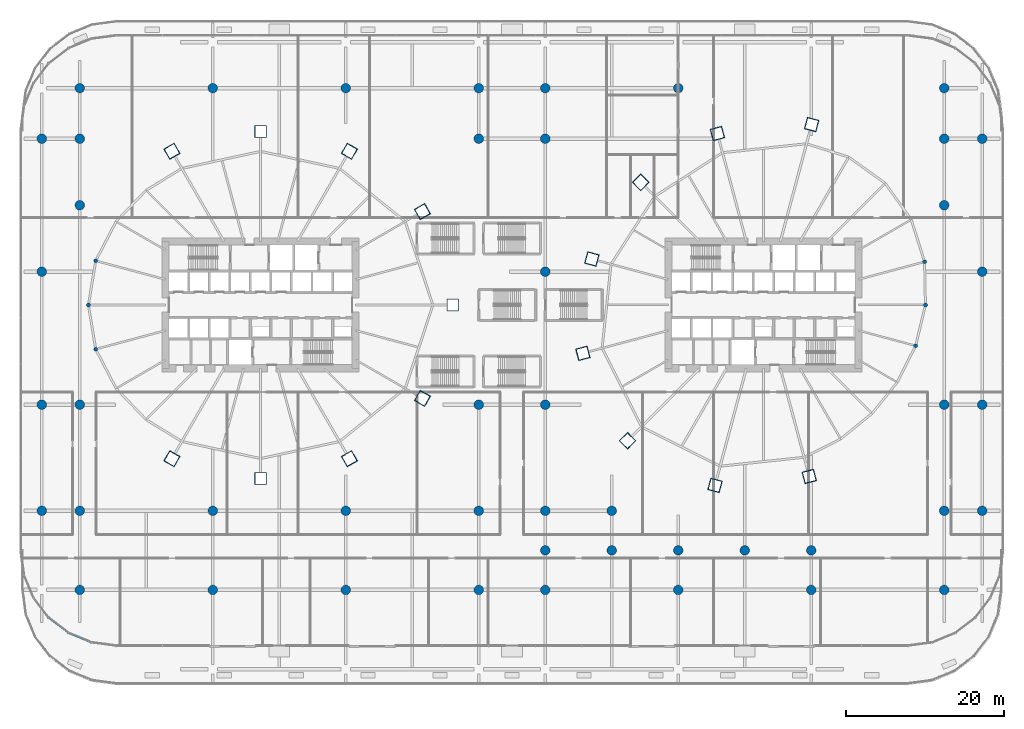
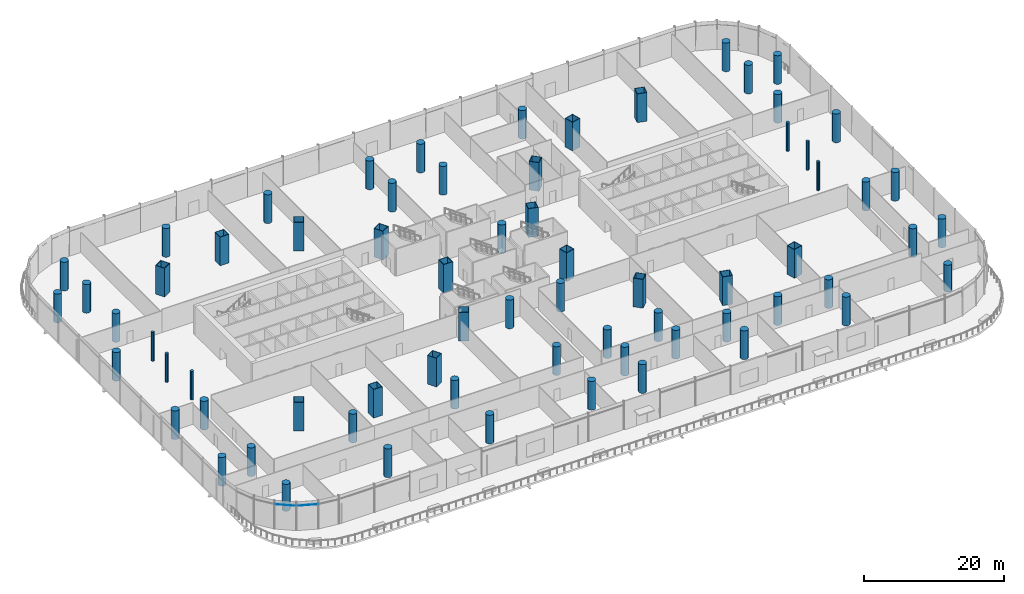
# One storey, part 1 of 51: 69 columns, 2 members, 1 element without a shape of its own.
"""IFC4 building model written with IfcOpenShell, lengths in metres."""

import ifcopenshell
import ifcopenshell.guid

model = None  # the IFC model being written
_history = None  # IfcOwnerHistory: only IFC2X3 demands one
_inside = {}  # id of a spatial element -> (the spatial element, [elements in it])
_under = {}  # id of a project, library or spatial element -> (it, [spatial elements below it])
_declared = {}  # id of a project -> (the project, [libraries it declares])
_typed = {}  # id of a type object -> (the type object, [elements of that type])
_made_of = {}  # id of a material, layer set ... -> (it, [elements and type objects made of it])


def new_model(schema):
    """Start an empty IFC model of exactly this schema.

    Asked for "IFC4X3", IfcOpenShell would pick the latest addendum, in which some entities
    have other attributes; the version numbers below select the first issue.
    IFC2X3 requires an IfcOwnerHistory on every rooted entity: one is made here for all.
    """
    global model, _history
    if schema == "IFC4X3":
        model = ifcopenshell.file(schema_version=(4, 3, 0, 0))
    else:
        model = ifcopenshell.file(schema=schema)
    _inside.clear()
    _under.clear()
    _declared.clear()
    _typed.clear()
    _made_of.clear()
    _history = None
    if model.schema == "IFC2X3":
        org = make("IfcOrganization", Name="unknown")
        user = make(
            "IfcPersonAndOrganization",
            ThePerson=make("IfcPerson", FamilyName="unknown"),
            TheOrganization=org,
        )
        app = make(
            "IfcApplication",
            ApplicationDeveloper=org,
            Version="unknown",
            ApplicationFullName="unknown",
            ApplicationIdentifier="unknown",
        )
        _history = make(
            "IfcOwnerHistory",
            OwningUser=user,
            OwningApplication=app,
            ChangeAction="ADDED",
            CreationDate=0,
        )
    return model


def make(cls, **values):
    """One entity of the class cls with the attributes given. An attribute that is None is left unset."""
    return model.create_entity(
        cls, **{name: value for name, value in values.items() if value is not None}
    )


def rooted(cls, **values):
    """An entity with a GlobalId (a new one), such as an element, a storey or a relation."""
    return make(cls, GlobalId=ifcopenshell.guid.new(), OwnerHistory=_history, **values)


def si_unit(unit_type, name, prefix=None):
    """IfcSIUnit, for example si_unit("LENGTHUNIT", "METRE", prefix="MILLI")."""
    return make("IfcSIUnit", UnitType=unit_type, Prefix=prefix, Name=name)


def assignment(units):
    """IfcUnitAssignment: the units of a project."""
    return None if units is None else make("IfcUnitAssignment", Units=units)


def point(xyz):
    """IfcCartesianPoint."""
    return None if xyz is None else make("IfcCartesianPoint", Coordinates=xyz)


def direction(xyz):
    """IfcDirection."""
    return None if xyz is None else make("IfcDirection", DirectionRatios=xyz)


def frame(location, z_axis=None, x_axis=None):
    """IfcAxis2Placement3D, a coordinate frame: its origin and axes. An axis left out is left unset."""
    return make(
        "IfcAxis2Placement3D",
        Location=point(location),
        Axis=direction(z_axis),
        RefDirection=direction(x_axis),
    )


def frame_2d(location, x_axis=None):
    """IfcAxis2Placement2D, a coordinate frame in the plane: its origin and x axis."""
    return make(
        "IfcAxis2Placement2D", Location=point(location), RefDirection=direction(x_axis)
    )


def origin():
    """The frame at (0, 0, 0) with its axes left unset."""
    return frame((0.0, 0.0, 0.0))


def origin_2d():
    """The frame at (0, 0) in the plane with its x axis left unset."""
    return frame_2d((0.0, 0.0))


def place(relative_to, where):
    """IfcLocalPlacement: puts the frame where relative to a parent placement (None: the world)."""
    return make(
        "IfcLocalPlacement", PlacementRelTo=relative_to, RelativePlacement=where
    )


def context(
    kind, dimensions, precision=None, world=None, true_north=None, identifier=None
):
    """IfcGeometricRepresentationContext, for example the 3D "Model" context."""
    return make(
        "IfcGeometricRepresentationContext",
        ContextIdentifier=identifier,
        ContextType=kind,
        CoordinateSpaceDimension=dimensions,
        Precision=precision,
        WorldCoordinateSystem=world,
        TrueNorth=true_north,
    )


def subcontext(parent, identifier, kind, view, scale=None):
    """IfcGeometricRepresentationSubContext, for example "Body" below "Model"."""
    return make(
        "IfcGeometricRepresentationSubContext",
        ContextIdentifier=identifier,
        ContextType=kind,
        ParentContext=parent,
        TargetScale=scale,
        TargetView=view,
    )


def project(units=None, contexts=None):
    """IfcProject with its units and contexts."""
    return rooted(
        "IfcProject",
        Name="project",
        RepresentationContexts=contexts,
        UnitsInContext=assignment(units),
    )


def spatial(cls, under=None, at=None, **own):
    """A site, building, storey or space (cls), placed at a placement, below another one or the project."""
    s = rooted(cls, ObjectPlacement=at, **own)
    if under is not None:
        _under.setdefault(under.id(), (under, []))[1].append(s)
    return s


def profile(cls, at=None, kind="AREA", **sizes):
    """A parametric profile (cls). Its sizes go by their IFC names, for example OverallWidth=200.0."""
    return make(cls, ProfileType=kind, Position=at, **sizes)


def rectangle(**sizes):
    """IfcRectangleProfileDef."""
    return profile("IfcRectangleProfileDef", **sizes)


def hollow_rectangle(**sizes):
    """IfcRectangleHollowProfileDef."""
    return profile("IfcRectangleHollowProfileDef", **sizes)


def circle(**sizes):
    """IfcCircleProfileDef."""
    return profile("IfcCircleProfileDef", **sizes)


def extrude(swept, where, along, depth):
    """IfcExtrudedAreaSolid: the profile swept, set in the frame where, extruded along a direction by depth."""
    return make(
        "IfcExtrudedAreaSolid",
        SweptArea=swept,
        Position=where,
        ExtrudedDirection=direction(along),
        Depth=depth,
    )


def shape(context_of_items, identifier, shape_type, items):
    """IfcShapeRepresentation: the items that make up one representation, for example the "Body"."""
    return make(
        "IfcShapeRepresentation",
        ContextOfItems=context_of_items,
        RepresentationIdentifier=identifier,
        RepresentationType=shape_type,
        Items=items,
    )


def material(Name=None, Category=None):
    """IfcMaterial."""
    return make("IfcMaterial", Name=Name, Category=Category)


def material_profile(
    of_material, cross_section, Name=None, Category=None, Priority=None
):
    """IfcMaterialProfile: a cross section and its material."""
    return make(
        "IfcMaterialProfile",
        Name=Name,
        Material=of_material,
        Profile=cross_section,
        Priority=Priority,
        Category=Category,
    )


def profile_set(profiles, Name=None, composite=None):
    """IfcMaterialProfileSet."""
    return make(
        "IfcMaterialProfileSet",
        Name=Name,
        MaterialProfiles=profiles,
        CompositeProfile=composite,
    )


def made_of(thing, what):
    """Note that an element or type object is made of a material, layer set ...; save() writes the relation."""
    if what is not None:
        _made_of.setdefault(what.id(), (what, []))[1].append(thing)
    return thing


def type_object(cls, material=None, **own):
    """A type object (cls), such as IfcWallType, which elements share."""
    return made_of(rooted(cls, **own), material)


def element(
    cls,
    number,
    at=None,
    inside=None,
    cuts=None,
    type_object=None,
    material=None,
    context=None,
    identifier="Body",
    shape_type=None,
    held_by="IfcProductDefinitionShape",
    body=None,
    shapes=None,
    **own,
):
    """One element of the class cls, such as IfcWall. Its Tag is "e" and its number.

    at: its placement. inside: the storey or other place that contains it. cuts: it is an
    opening in that element (IfcRelVoidsElement). A single representation is given by context,
    identifier, shape_type and body (its items); several are given by shapes. held_by: the class
    of the entity that holds the representations. save() writes the other relations.
    """
    e = rooted(cls, Tag="e%d" % number, ObjectPlacement=at, **own)
    if body is not None:
        shapes = [shape(context, identifier, shape_type, body)]
    if shapes is not None:
        e.Representation = make(held_by, Representations=shapes)
    if inside is not None:
        _inside.setdefault(inside.id(), (inside, []))[1].append(e)
    if cuts is not None:
        rooted(
            "IfcRelVoidsElement", RelatingBuildingElement=cuts, RelatedOpeningElement=e
        )
    if type_object is not None:
        _typed.setdefault(type_object.id(), (type_object, []))[1].append(e)
    return made_of(e, material)


def aggregate(whole, parts):
    """IfcRelAggregates: a whole, such as a stair, and the parts it consists of."""
    return rooted("IfcRelAggregates", RelatingObject=whole, RelatedObjects=parts)


def save(model, path):
    """Write the relations noted so far, then the file.

    IfcRelAggregates (storeys below a building ...), IfcRelContainedInSpatialStructure (elements
    in a storey), IfcRelDefinesByType, IfcRelAssociatesMaterial and IfcRelDeclares: one each for
    every whole, place, type object, material and project.
    """
    for whole, parts in _under.values():
        aggregate(whole, parts)
    for where, things in _inside.values():
        rooted(
            "IfcRelContainedInSpatialStructure",
            RelatedElements=things,
            RelatingStructure=where,
        )
    for kind, things in _typed.values():
        rooted("IfcRelDefinesByType", RelatedObjects=things, RelatingType=kind)
    for what, things in _made_of.values():
        rooted("IfcRelAssociatesMaterial", RelatedObjects=things, RelatingMaterial=what)
    for by, libraries in _declared.values():
        rooted("IfcRelDeclares", RelatingContext=by, RelatedDefinitions=libraries)
    model.write(path)


model = new_model("IFC4")

# Units and contexts
model_context = context("Model", 3, precision=1e-05, world=origin(), true_north=direction((0.0, 1.0)))
body_context = subcontext(model_context, "Body", "Model", "MODEL_VIEW")
ifc_project = project(units=[si_unit("LENGTHUNIT", "METRE"), si_unit("AREAUNIT", "SQUARE_METRE"), si_unit("VOLUMEUNIT", "CUBIC_METRE"), si_unit("PLANEANGLEUNIT", "RADIAN"), si_unit("MASSUNIT", "GRAM", prefix="KILO")], contexts=[model_context])

# Site, building, storey
site_placement = place(None, origin())
site = spatial("IfcSite", under=ifc_project, at=site_placement, CompositionType="ELEMENT")
building_placement = place(site_placement, origin())
building = spatial("IfcBuilding", under=site, at=building_placement, Name="Rimbun Link Towers", CompositionType="ELEMENT")
storey_placement = place(building_placement, frame((0.0, 0.0, 7.0)))
storey = spatial("IfcBuildingStorey", under=building, at=storey_placement, Name="L01", CompositionType="ELEMENT", Elevation=7.0)

# Columns
ifc_material_1 = material(Name="Steel S460N", Category="steel")
ifc_material_profile_1 = material_profile(ifc_material_1, hollow_rectangle(XDim=1.5, YDim=1.5, WallThickness=0.070068359375, at=origin_2d()), Name="BOX 1500x1500x70")
ifc_profile_set_1 = profile_set([ifc_material_profile_1], Name="Steel S460N")
column_type_1 = type_object("IfcColumnType", Name="BOX 1500x1500x70", PredefinedType="COLUMN", material=ifc_profile_set_1)
for number, where, z_axis, x_axis, name in (
    (1, (-7.4873046875, 0.0, 0.0), (0.0, 0.0, 1.0), (1.0, 0.0, 0.0), "Mega column T1 L01 00"),
    (2, (-11.316650390625, 11.797119140625, 0.0), (0.0, 0.0, 1.0), (0.866025403784, 0.5, 0.0), "Mega column T1 L01 02"),
    (3, (-20.538818359375, 19.418212890625, 0.0), (0.0, 0.0, 1.0), (0.5, 0.866025403784, 0.0), "Mega column T1 L01 04"),
    (4, (-31.75, 21.904296875, 0.0), (0.0, 0.0, 1.0), (0.0, 1.0, 0.0), "Mega column T1 L01 06"),
    (5, (-42.961181640625, 19.418212890625, 0.0), (0.0, 0.0, 1.0), (-0.5, 0.866025403784, 0.0), "Mega column T1 L01 08"),
    (6, (-42.961181640625, -19.418212890625, 0.0), (0.0, 0.0, 1.0), (-0.5, -0.866025403784, 0.0), "Mega column T1 L01 16"),
    (7, (-31.75, -21.904296875, 0.0), (0.0, 0.0, 1.0), (0.0, -1.0, 0.0), "Mega column T1 L01 18"),
    (8, (-20.538818359375, -19.418212890625, 0.0), (0.0, 0.0, 1.0), (0.5, -0.866025403784, 0.0), "Mega column T1 L01 20"),
    (9, (-11.316650390625, -11.797119140625, 0.0), (0.0, 0.0, 1.0), (0.866025403784, -0.5, 0.0), "Mega column T1 L01 22"),
    (10, (37.856689453125, 22.790283203125, 0.0), (0.0, 0.0, 1.0), (0.258819045103, 0.965925826289, 0.0), "Mega column T2 L01 02"),
    (11, (25.94677734375, 21.658203125, 0.0), (0.0, 0.0, 1.0), (-0.258819045103, 0.965925826289, 0.0), "Mega column T2 L01 04"),
    (12, (16.261474609375, 15.488525390625, 0.0), (0.0, 0.0, 1.0), (-0.707106781187, 0.707106781187, 0.0), "Mega column T2 L01 06"),
    (13, (10.091796875, 5.80322265625, 0.0), (0.0, 0.0, 1.0), (-0.965925826289, 0.258819045103, 0.0), "Mega column T2 L01 08"),
    (14, (8.959716796875, -6.106689453125, 0.0), (0.0, 0.0, 1.0), (-0.965925826289, -0.258819045103, 0.0), "Mega column T2 L01 10"),
    (15, (14.59375, -17.15625, 0.0), (0.0, 0.0, 1.0), (-0.707106781187, -0.707106781187, 0.0), "Mega column T2 L01 12"),
    (16, (25.643310546875, -22.790283203125, 0.0), (0.0, 0.0, 1.0), (-0.258819045103, -0.965925826289, 0.0), "Mega column T2 L01 14"),
    (17, (37.55322265625, -21.658203125, 0.0), (0.0, 0.0, 1.0), (0.258819045103, -0.965925826289, 0.0), "Mega column T2 L01 16"),
):
    element("IfcColumn", number, at=place(storey_placement, frame(where, z_axis=z_axis, x_axis=x_axis)), inside=storey, type_object=column_type_1, Name=name, PredefinedType="COLUMN", context=body_context, shape_type="SweptSolid", body=[
        extrude(hollow_rectangle(XDim=1.5, YDim=1.5, WallThickness=0.070068359375, at=origin_2d()), origin(), (0.0, 0.0, 1.0), 5.0),
    ])
ifc_material_2 = material(Name="Concrete C80/95", Category="concrete")
ifc_material_profile_2 = material_profile(ifc_material_2, circle(Radius=0.60009765625, at=origin_2d()), Name="RC D1200")
ifc_profile_set_2 = profile_set([ifc_material_profile_2], Name="Concrete C80/95")
column_type_2 = type_object("IfcColumnType", Name="RC D1200", PredefinedType="COLUMN", material=ifc_profile_set_2)
for number, where, z_axis, x_axis, name in (
    (18, (-59.39990234375, -26.0, 0.0), (0.0, 0.0, 1.0), (1.0, 0.0, 0.0), "Column L01 -59.4 -26.0"),
    (19, (-59.39990234375, -12.60009765625, 0.0), (0.0, 0.0, 1.0), (1.0, 0.0, 0.0), "Column L01 -59.4 -12.6"),
    (20, (-59.39990234375, 4.199951171875, 0.0), (0.0, 0.0, 1.0), (1.0, 0.0, 0.0), "Column L01 -59.4 +4.2"),
    (21, (-59.39990234375, 21.0, 0.0), (0.0, 0.0, 1.0), (1.0, 0.0, 0.0), "Column L01 -59.4 +21.0"),
):
    element("IfcColumn", number, at=place(storey_placement, frame(where, z_axis=z_axis, x_axis=x_axis)), inside=storey, type_object=column_type_2, Name=name, PredefinedType="COLUMN", context=body_context, shape_type="SweptSolid", body=[
        extrude(circle(Radius=0.60009765625, at=origin_2d()), origin(), (0.0, 0.0, 1.0), 5.0),
    ])
column_1_placement = place(storey_placement, frame((-54.60009765625, -36.0, 0.0), z_axis=(0.0, 0.0, 1.0), x_axis=(1.0, 0.0, 0.0)))
element("IfcColumn", 22, at=column_1_placement, inside=storey, type_object=column_type_2, Name="Column L01 -54.6 -36.0", PredefinedType="COLUMN", context=body_context, shape_type="SweptSolid", body=[
    extrude(circle(Radius=0.60009765625, at=origin_2d()), origin(), (0.0, 0.0, 1.0), 4.699951171875),
])
for number, where, z_axis, x_axis, name in (
    (23, (-54.60009765625, -26.0, 0.0), (0.0, 0.0, 1.0), (1.0, 0.0, 0.0), "Column L01 -54.6 -26.0"),
    (24, (-54.60009765625, -12.60009765625, 0.0), (0.0, 0.0, 1.0), (1.0, 0.0, 0.0), "Column L01 -54.6 -12.6"),
    (25, (-54.60009765625, 12.60009765625, 0.0), (0.0, 0.0, 1.0), (1.0, 0.0, 0.0), "Column L01 -54.6 +12.6"),
    (26, (-54.60009765625, 21.0, 0.0), (0.0, 0.0, 1.0), (1.0, 0.0, 0.0), "Column L01 -54.6 +21.0"),
    (27, (-54.60009765625, 27.39990234375, 0.0), (0.0, 0.0, 1.0), (1.0, 0.0, 0.0), "Column L01 -54.6 +27.4"),
    (28, (-37.800048828125, -36.0, 0.0), (0.0, 0.0, 1.0), (1.0, 0.0, 0.0), "Column L01 -37.8 -36.0"),
    (29, (-37.800048828125, -26.0, 0.0), (0.0, 0.0, 1.0), (1.0, 0.0, 0.0), "Column L01 -37.8 -26.0"),
    (30, (-37.800048828125, 27.39990234375, 0.0), (0.0, 0.0, 1.0), (1.0, 0.0, 0.0), "Column L01 -37.8 +27.4"),
    (31, (-21.0, -36.0, 0.0), (0.0, 0.0, 1.0), (1.0, 0.0, 0.0), "Column L01 -21.0 -36.0"),
    (32, (-21.0, -26.0, 0.0), (0.0, 0.0, 1.0), (1.0, 0.0, 0.0), "Column L01 -21.0 -26.0"),
    (33, (-21.0, 27.39990234375, 0.0), (0.0, 0.0, 1.0), (1.0, 0.0, 0.0), "Column L01 -21.0 +27.4"),
    (34, (-4.199951171875, -36.0, 0.0), (0.0, 0.0, 1.0), (1.0, 0.0, 0.0), "Column L01 -4.2 -36.0"),
    (35, (-4.199951171875, -26.0, 0.0), (0.0, 0.0, 1.0), (1.0, 0.0, 0.0), "Column L01 -4.2 -26.0"),
    (36, (-4.199951171875, -12.60009765625, 0.0), (0.0, 0.0, 1.0), (1.0, 0.0, 0.0), "Column L01 -4.2 -12.6"),
    (37, (-4.199951171875, 21.0, 0.0), (0.0, 0.0, 1.0), (1.0, 0.0, 0.0), "Column L01 -4.2 +21.0"),
    (38, (-4.199951171875, 27.39990234375, 0.0), (0.0, 0.0, 1.0), (1.0, 0.0, 0.0), "Column L01 -4.2 +27.4"),
    (39, (4.199951171875, -36.0, 0.0), (0.0, 0.0, 1.0), (1.0, 0.0, 0.0), "Column L01 +4.2 -36.0"),
    (40, (4.199951171875, -31.0, 0.0), (0.0, 0.0, 1.0), (1.0, 0.0, 0.0), "Column L01 +4.2 -31.0"),
    (41, (4.199951171875, -26.0, 0.0), (0.0, 0.0, 1.0), (1.0, 0.0, 0.0), "Column L01 +4.2 -26.0"),
    (42, (4.199951171875, -12.60009765625, 0.0), (0.0, 0.0, 1.0), (1.0, 0.0, 0.0), "Column L01 +4.2 -12.6"),
    (43, (4.199951171875, 4.199951171875, 0.0), (0.0, 0.0, 1.0), (1.0, 0.0, 0.0), "Column L01 +4.2 +4.2"),
    (44, (4.199951171875, 21.0, 0.0), (0.0, 0.0, 1.0), (1.0, 0.0, 0.0), "Column L01 +4.2 +21.0"),
    (45, (4.199951171875, 27.39990234375, 0.0), (0.0, 0.0, 1.0), (1.0, 0.0, 0.0), "Column L01 +4.2 +27.4"),
    (46, (12.60009765625, -31.0, 0.0), (0.0, 0.0, 1.0), (1.0, 0.0, 0.0), "Column L01 +12.6 -31.0"),
    (47, (12.60009765625, -26.0, 0.0), (0.0, 0.0, 1.0), (1.0, 0.0, 0.0), "Column L01 +12.6 -26.0"),
    (48, (21.0, -36.0, 0.0), (0.0, 0.0, 1.0), (1.0, 0.0, 0.0), "Column L01 +21.0 -36.0"),
    (49, (21.0, -31.0, 0.0), (0.0, 0.0, 1.0), (1.0, 0.0, 0.0), "Column L01 +21.0 -31.0"),
    (50, (21.0, 27.39990234375, 0.0), (0.0, 0.0, 1.0), (1.0, 0.0, 0.0), "Column L01 +21.0 +27.4"),
    (51, (29.39990234375, -31.0, 0.0), (0.0, 0.0, 1.0), (1.0, 0.0, 0.0), "Column L01 +29.4 -31.0"),
    (52, (37.800048828125, -36.0, 0.0), (0.0, 0.0, 1.0), (1.0, 0.0, 0.0), "Column L01 +37.8 -36.0"),
    (53, (37.800048828125, -31.0, 0.0), (0.0, 0.0, 1.0), (1.0, 0.0, 0.0), "Column L01 +37.8 -31.0"),
):
    element("IfcColumn", number, at=place(storey_placement, frame(where, z_axis=z_axis, x_axis=x_axis)), inside=storey, type_object=column_type_2, Name=name, PredefinedType="COLUMN", context=body_context, shape_type="SweptSolid", body=[
        extrude(circle(Radius=0.60009765625, at=origin_2d()), origin(), (0.0, 0.0, 1.0), 5.0),
    ])
column_2_placement = place(storey_placement, frame((54.60009765625, -36.0, 0.0), z_axis=(0.0, 0.0, 1.0), x_axis=(1.0, 0.0, 0.0)))
element("IfcColumn", 54, at=column_2_placement, inside=storey, type_object=column_type_2, Name="Column L01 +54.6 -36.0", PredefinedType="COLUMN", context=body_context, shape_type="SweptSolid", body=[
    extrude(circle(Radius=0.60009765625, at=origin_2d()), origin(), (0.0, 0.0, 1.0), 4.699951171875),
])
for number, where, z_axis, x_axis, name in (
    (55, (54.60009765625, -26.0, 0.0), (0.0, 0.0, 1.0), (1.0, 0.0, 0.0), "Column L01 +54.6 -26.0"),
    (56, (54.60009765625, -12.60009765625, 0.0), (0.0, 0.0, 1.0), (1.0, 0.0, 0.0), "Column L01 +54.6 -12.6"),
    (57, (54.60009765625, 12.60009765625, 0.0), (0.0, 0.0, 1.0), (1.0, 0.0, 0.0), "Column L01 +54.6 +12.6"),
    (58, (54.60009765625, 21.0, 0.0), (0.0, 0.0, 1.0), (1.0, 0.0, 0.0), "Column L01 +54.6 +21.0"),
    (59, (54.60009765625, 27.39990234375, 0.0), (0.0, 0.0, 1.0), (1.0, 0.0, 0.0), "Column L01 +54.6 +27.4"),
    (60, (59.39990234375, -26.0, 0.0), (0.0, 0.0, 1.0), (1.0, 0.0, 0.0), "Column L01 +59.4 -26.0"),
    (61, (59.39990234375, -12.60009765625, 0.0), (0.0, 0.0, 1.0), (1.0, 0.0, 0.0), "Column L01 +59.4 -12.6"),
    (62, (59.39990234375, 4.199951171875, 0.0), (0.0, 0.0, 1.0), (1.0, 0.0, 0.0), "Column L01 +59.4 +4.2"),
    (63, (59.39990234375, 21.0, 0.0), (0.0, 0.0, 1.0), (1.0, 0.0, 0.0), "Column L01 +59.4 +21.0"),
):
    element("IfcColumn", number, at=place(storey_placement, frame(where, z_axis=z_axis, x_axis=x_axis)), inside=storey, type_object=column_type_2, Name=name, PredefinedType="COLUMN", context=body_context, shape_type="SweptSolid", body=[
        extrude(circle(Radius=0.60009765625, at=origin_2d()), origin(), (0.0, 0.0, 1.0), 5.0),
    ])
ifc_material_3 = material(Name="Concrete C80/95", Category="concrete")
ifc_material_profile_3 = material_profile(ifc_material_3, circle(Radius=0.25, at=origin_2d()), Name="RC D500")
ifc_profile_set_3 = profile_set([ifc_material_profile_3], Name="Concrete C80/95")
column_type_3 = type_object("IfcColumnType", Name="RC D500", PredefinedType="COLUMN", material=ifc_profile_set_3)
for number, where, z_axis, x_axis, name in (
    (64, (-52.58642578125, 5.5830078125, 0.0), (0.0, 0.0, 1.0), (1.0, 0.0, 0.0), "Recess post T1 L01 11"),
    (65, (-53.50927734375, 0.0, 0.0), (0.0, 0.0, 1.0), (1.0, 0.0, 0.0), "Recess post T1 L01 12"),
    (66, (-52.58642578125, -5.5830078125, 0.0), (0.0, 0.0, 1.0), (1.0, 0.0, 0.0), "Recess post T1 L01 13"),
    (67, (50.98828125, -5.15478515625, 0.0), (0.0, 0.0, 1.0), (1.0, 0.0, 0.0), "Recess post T2 L01 20"),
    (68, (52.226318359375, 0.0, 0.0), (0.0, 0.0, 1.0), (1.0, 0.0, 0.0), "Recess post T2 L01 21"),
    (69, (52.118408203125, 5.457763671875, 0.0), (0.0, 0.0, 1.0), (1.0, 0.0, 0.0), "Recess post T2 L01 22"),
):
    element("IfcColumn", number, at=place(storey_placement, frame(where, z_axis=z_axis, x_axis=x_axis)), inside=storey, type_object=column_type_3, Name=name, PredefinedType="COLUMN", context=body_context, shape_type="SweptSolid", body=[
        extrude(circle(Radius=0.25, at=origin_2d()), origin(), (0.0, 0.0, 1.0), 5.0),
    ])

# Curtain wall, members
ifc_material_4 = material(Name="Aluminium 6063-T6 and low-iron glass", Category="aluminium")
curtain_wall_type = type_object("IfcCurtainWallType", Name="CW3 podium shopfront", PredefinedType="NOTDEFINED", material=ifc_material_4)
curtain_wall_placement = place(storey_placement, origin())
curtain_wall = element("IfcCurtainWall", 70, at=curtain_wall_placement, inside=storey, type_object=curtain_wall_type, Name="CW3 L01 PD", PredefinedType="NOTDEFINED")
ifc_material_5 = material(Name="Aluminium 6063-T6", Category="aluminium")
ifc_material_profile_4 = material_profile(ifc_material_5, rectangle(XDim=0.06005859375, YDim=0.1201171875, at=origin_2d()), Name="TRANSOM 60X120")
ifc_profile_set_4 = profile_set([ifc_material_profile_4], Name="Aluminium 6063-T6")
member_type = type_object("IfcMemberType", Name="CW3 transom 60X120", PredefinedType="USERDEFINED", material=ifc_profile_set_4)
member_1_placement = place(storey_placement, frame((-56.056640625, -41.4169921875, 4.39990234375), z_axis=(-0.793344129687, 0.608773432314, 0.0), x_axis=(-0.608773432314, -0.793344129687, 0.0)))
member_1 = element("IfcMember", 71, at=member_1_placement, type_object=member_type, Name="CW3 transom", ObjectType="TRANSOM", PredefinedType="USERDEFINED", context=body_context, shape_type="SweptSolid", body=[
    extrude(rectangle(XDim=0.06005859375, YDim=0.1201171875, at=origin_2d()), origin(), (0.0, 0.0, 1.0), 3.07275390625),
])
member_2_placement = place(storey_placement, frame((-53.154296875, -42.62939453125, 4.39990234375), z_axis=(-0.923881248716, 0.382679289053, 0.0), x_axis=(-0.382679289053, -0.923881248716, 0.0)))
member_2 = element("IfcMember", 72, at=member_2_placement, type_object=member_type, Name="CW3 transom", ObjectType="TRANSOM", PredefinedType="USERDEFINED", context=body_context, shape_type="SweptSolid", body=[
    extrude(rectangle(XDim=0.06005859375, YDim=0.1201171875, at=origin_2d()), origin(), (0.0, 0.0, 1.0), 3.072509765625),
])
aggregate(curtain_wall, [member_1, member_2])

save(model, "model.ifc")
